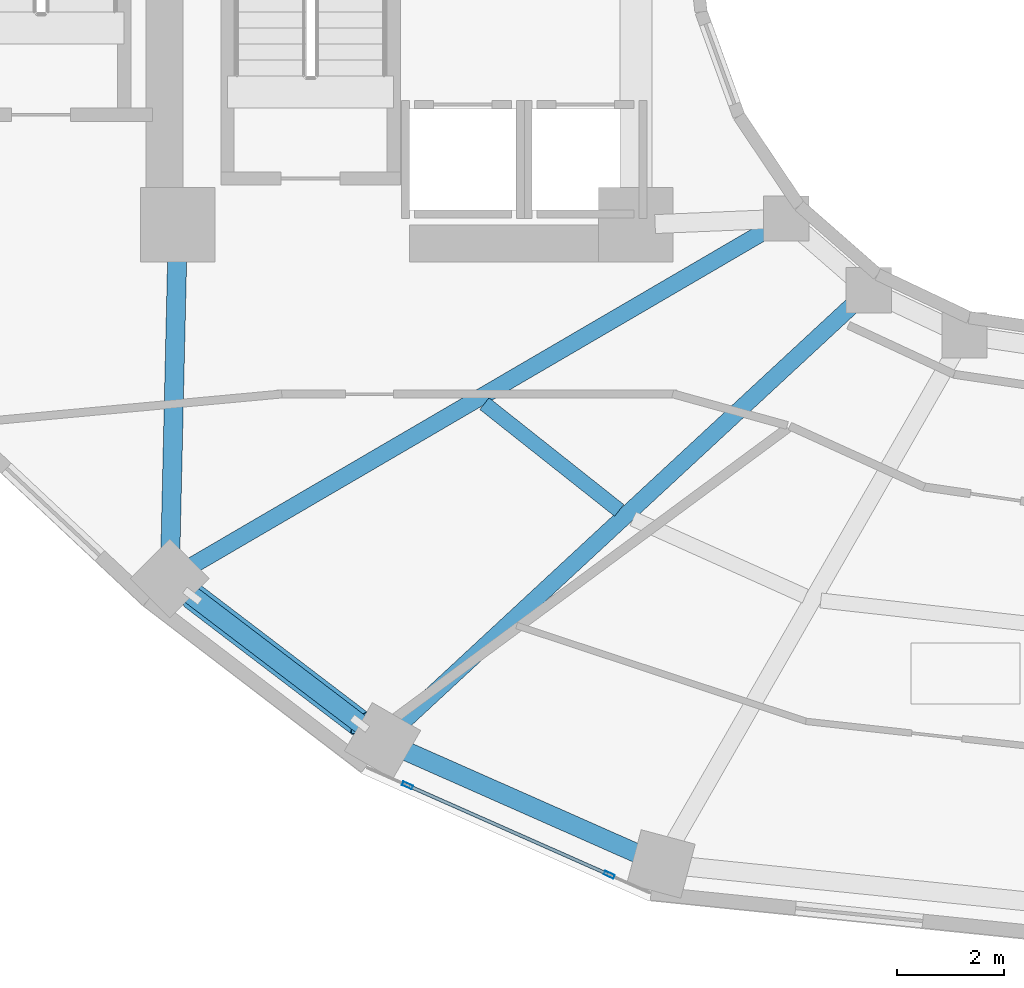
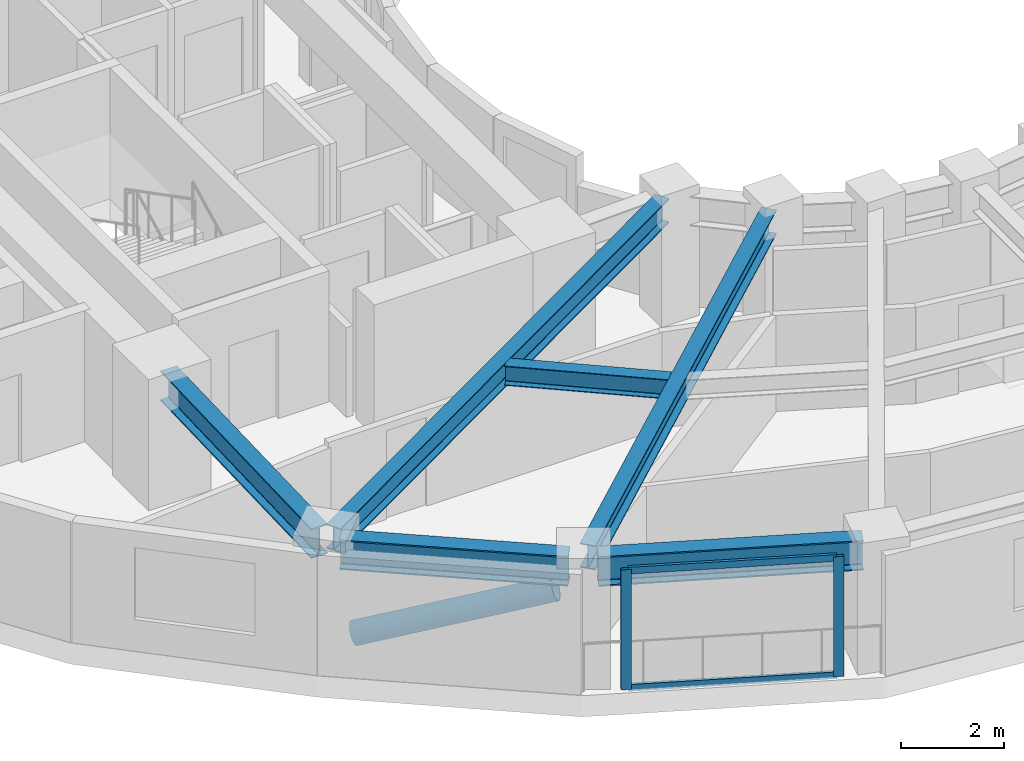
# One storey, part 2 of 18: 6 beams, 5 members, 1 element without a shape of its own.
"""IFC4 building model written with IfcOpenShell, lengths in metres."""

from ifc_helpers import new_model, si_unit, direction, frame, origin, origin_2d, place, context, subcontext, project, spatial, hollow_rectangle, hollow_circle, i_section, extrude, material, layer, layer_set, material_profile, profile_set, type_object, element, aggregate, save


model = new_model("IFC4")

# Units and contexts
model_context = context("Model", 3, precision=1e-05, world=origin(), true_north=direction((0.0, 1.0)))
body_context = subcontext(model_context, "Body", "Model", "MODEL_VIEW")
ifc_project = project(units=[si_unit("LENGTHUNIT", "METRE"), si_unit("AREAUNIT", "SQUARE_METRE"), si_unit("VOLUMEUNIT", "CUBIC_METRE"), si_unit("PLANEANGLEUNIT", "RADIAN"), si_unit("MASSUNIT", "GRAM", prefix="KILO")], contexts=[model_context])

# Site, building, storey
site_placement = place(None, origin())
site = spatial("IfcSite", under=ifc_project, at=site_placement, CompositionType="ELEMENT")
building_placement = place(site_placement, origin())
building = spatial("IfcBuilding", under=site, at=building_placement, Name="Solvane Sanctuary Tower", CompositionType="ELEMENT")
storey_placement = place(building_placement, frame((0.0, 0.0, 94.89990234375)))
storey = spatial("IfcBuildingStorey", under=building, at=storey_placement, Name="L28", CompositionType="ELEMENT", Elevation=94.89990234375)

# Beams
ifc_material_1 = material(Name="Steel ASTM A992 Grade 50", Category="steel")
ifc_material_profile_1 = material_profile(ifc_material_1, i_section(OverallWidth=0.31494140625, OverallDepth=0.575927734375, WebThickness=0.01513671875, FlangeThickness=0.0244140625, FilletRadius=0.014892578125, at=origin_2d()), Name="W21X122")
ifc_profile_set_1 = profile_set([ifc_material_profile_1], Name="Steel ASTM A992 Grade 50")
beam_type_1 = type_object("IfcBeamType", Name="Beam B-RAD-Z2 W21X122", PredefinedType="BEAM", material=ifc_profile_set_1)
beam_1_placement = place(storey_placement, frame((26.483154296875, 16.876708984375, 2.590087890625), z_axis=(-0.863554121542, -0.504256164234, 0.0), x_axis=(0.504256164234, -0.863554121542, 0.0)))
element("IfcBeam", 1, at=beam_1_placement, inside=storey, type_object=beam_type_1, Name="L28 Radial Composite Floor Beam 08", PredefinedType="BEAM", context=body_context, shape_type="SweptSolid", body=[
    extrude(i_section(OverallWidth=0.31494140625, OverallDepth=0.575927734375, WebThickness=0.01513671875, FlangeThickness=0.0244140625, FilletRadius=0.014892578125, at=origin_2d()), origin(), (0.0, 0.0, 1.0), 12.84716796875),
])
beam_2_placement = place(storey_placement, frame((28.064697265625, 15.483154296875, 2.590087890625), z_axis=(-0.733453775248, -0.679739332078, 0.0), x_axis=(0.679739332078, -0.733453775248, 0.0)))
element("IfcBeam", 2, at=beam_2_placement, inside=storey, type_object=beam_type_1, Name="L28 Radial Composite Floor Beam 09", PredefinedType="BEAM", context=body_context, shape_type="SweptSolid", body=[
    extrude(i_section(OverallWidth=0.31494140625, OverallDepth=0.575927734375, WebThickness=0.01513671875, FlangeThickness=0.0244140625, FilletRadius=0.014892578125, at=origin_2d()), origin(), (0.0, 0.0, 1.0), 11.885498046875),
])
ifc_material_profile_2 = material_profile(ifc_material_1, i_section(OverallWidth=0.280029296875, OverallDepth=0.462890625, WebThickness=0.0107421875, FlangeThickness=0.017333984375, FilletRadius=0.013916015625, at=origin_2d()), Name="W18X76")
ifc_profile_set_2 = profile_set([ifc_material_profile_2], Name="Steel ASTM A992 Grade 50")
beam_type_2 = type_object("IfcBeamType", Name="Beam B-SEC-JOIST W18X76", PredefinedType="JOIST", material=ifc_profile_set_2)
beam_3_placement = place(storey_placement, frame((21.055419921875, 13.54296875, 2.646484375), z_axis=(0.783877123324, -0.620915981055, 0.0), x_axis=(0.620915981055, 0.783877123324, 0.0)))
element("IfcBeam", 3, at=beam_3_placement, inside=storey, type_object=beam_type_2, Name="L28 Secondary Circumferential Joist 08-09", PredefinedType="JOIST", context=body_context, shape_type="SweptSolid", body=[
    extrude(i_section(OverallWidth=0.280029296875, OverallDepth=0.462890625, WebThickness=0.0107421875, FlangeThickness=0.017333984375, FilletRadius=0.013916015625, at=origin_2d()), origin(), (0.0, 0.0, 1.0), 3.228515625),
])
ifc_material_profile_3 = material_profile(ifc_material_1, i_section(OverallWidth=0.35791015625, OverallDepth=0.7060546875, WebThickness=0.018310546875, FlangeThickness=0.0302734375, FilletRadius=0.01806640625, at=origin_2d()), Name="W27X178")
ifc_profile_set_3 = profile_set([ifc_material_profile_3], Name="Steel ASTM A992 Grade 50")
beam_type_3 = type_object("IfcBeamType", Name="Beam B-SPAND-Z2 W27X178", PredefinedType="SPANDREL", material=ifc_profile_set_3)
beam_4_placement = place(storey_placement, frame((15.293701171875, 16.6201171875, 2.525146484375), z_axis=(-0.023071397754, -0.999733819877, 0.0), x_axis=(0.999733819877, -0.023071397754, 0.0)))
element("IfcBeam", 4, at=beam_4_placement, inside=storey, type_object=beam_type_3, Name="L28 Perimeter Spandrel Beam CW1-TC08", PredefinedType="SPANDREL", context=body_context, shape_type="SweptSolid", body=[
    extrude(i_section(OverallWidth=0.35791015625, OverallDepth=0.7060546875, WebThickness=0.018310546875, FlangeThickness=0.0302734375, FilletRadius=0.01806640625, at=origin_2d()), origin(), (0.0, 0.0, 1.0), 6.084716796875),
])
beam_5_placement = place(storey_placement, frame((15.36962890625, 10.08740234375, 2.525146484375), z_axis=(0.795473167932, -0.605988811036, 0.0), x_axis=(0.605988811036, 0.795473167932, 0.0)))
element("IfcBeam", 5, at=beam_5_placement, inside=storey, type_object=beam_type_3, Name="L28 Perimeter Spandrel Beam TC08-TC09", PredefinedType="SPANDREL", context=body_context, shape_type="SweptSolid", body=[
    extrude(i_section(OverallWidth=0.35791015625, OverallDepth=0.7060546875, WebThickness=0.018310546875, FlangeThickness=0.0302734375, FilletRadius=0.01806640625, at=origin_2d()), origin(), (0.0, 0.0, 1.0), 4.4619140625),
])
beam_6_placement = place(storey_placement, frame((19.397705078125, 7.1005859375, 2.525146484375), z_axis=(0.914454505181, -0.404688717355, 0.0), x_axis=(0.404688717355, 0.914454505181, 0.0)))
element("IfcBeam", 6, at=beam_6_placement, inside=storey, type_object=beam_type_3, Name="L28 Perimeter Spandrel Beam TC09-TC10", PredefinedType="SPANDREL", context=body_context, shape_type="SweptSolid", body=[
    extrude(i_section(OverallWidth=0.35791015625, OverallDepth=0.7060546875, WebThickness=0.018310546875, FlangeThickness=0.0302734375, FilletRadius=0.01806640625, at=origin_2d()), origin(), (0.0, 0.0, 1.0), 5.157958984375),
])

# Curtain wall, members
ifc_material_2 = material(Name="Anodised Aluminium 6063-T6", Category="aluminium")
ifc_layer = layer(ifc_material_2, 0.179931640625, Name="Anodised Aluminium 6063-T6")
ifc_layer_set = layer_set([ifc_layer], Name="Anodised Aluminium 6063-T6")
curtain_wall_type = type_object("IfcCurtainWallType", Name="Curtain Wall CW-FRIT-Z2", PredefinedType="NOTDEFINED", material=ifc_layer_set)
curtain_wall_placement = place(storey_placement, origin())
curtain_wall = element("IfcCurtainWall", 7, at=curtain_wall_placement, inside=storey, type_object=curtain_wall_type, Name="L28 CW-FRIT-Z2 Facade Run 16", PredefinedType="NOTDEFINED")
ifc_material_profile_4 = material_profile(ifc_material_2, hollow_rectangle(XDim=0.074951171875, YDim=0.199951171875, WallThickness=0.00390625, at=origin_2d()), Name="ALU200X75X4")
ifc_profile_set_4 = profile_set([ifc_material_profile_4], Name="Anodised Aluminium 6063-T6")
member_type_1 = type_object("IfcMemberType", Name="Member M-CW-MUL-1 ALU200X75X4", PredefinedType="MULLION", material=ifc_profile_set_4)
member_1_placement = place(storey_placement, frame((19.61083984375, 6.374755859375, 0.0), z_axis=(0.0, 0.0, 1.0), x_axis=(0.404950504664, 0.914338607285, 0.0)))
member_1 = element("IfcMember", 8, at=member_1_placement, type_object=member_type_1, Name="CW-FRIT-Z2 mullion 1", PredefinedType="MULLION", context=body_context, shape_type="SweptSolid", body=[
    extrude(hollow_rectangle(XDim=0.074951171875, YDim=0.199951171875, WallThickness=0.00390625, at=origin_2d()), origin(), (0.0, 0.0, 1.0), 2.840087890625),
])
member_2_placement = place(storey_placement, frame((23.399658203125, 4.69677734375, 0.0), z_axis=(0.0, 0.0, 1.0), x_axis=(0.404950504664, 0.914338607285, 0.0)))
member_2 = element("IfcMember", 9, at=member_2_placement, type_object=member_type_1, Name="CW-FRIT-Z2 mullion 2", PredefinedType="MULLION", context=body_context, shape_type="SweptSolid", body=[
    extrude(hollow_rectangle(XDim=0.074951171875, YDim=0.199951171875, WallThickness=0.00390625, at=origin_2d()), origin(), (0.0, 0.0, 1.0), 2.840087890625),
])
ifc_material_profile_5 = material_profile(ifc_material_2, hollow_rectangle(XDim=0.06494140625, YDim=0.159912109375, WallThickness=0.00341796875, at=origin_2d()), Name="ALU160X65X3.5")
ifc_profile_set_5 = profile_set([ifc_material_profile_5], Name="Anodised Aluminium 6063-T6")
member_type_2 = type_object("IfcMemberType", Name="Member M-CW-TRN-1 ALU160X65X3.5", PredefinedType="USERDEFINED", material=ifc_profile_set_5)
member_3_placement = place(storey_placement, frame((19.64501953125, 6.359619140625, 0.03271484375), z_axis=(0.914332885629, -0.404963423357, 0.0), x_axis=(0.404963423357, 0.914332885629, 0.0)))
member_3 = element("IfcMember", 10, at=member_3_placement, type_object=member_type_2, Name="CW-FRIT-Z2 transom 1.1", ObjectType="TRANSOM", PredefinedType="USERDEFINED", context=body_context, shape_type="SweptSolid", body=[
    extrude(hollow_rectangle(XDim=0.06494140625, YDim=0.159912109375, WallThickness=0.00341796875, at=origin_2d()), origin(), (0.0, 0.0, 1.0), 4.06884765625),
])
member_4_placement = place(storey_placement, frame((19.64501953125, 6.359619140625, 2.8076171875), z_axis=(0.914332885629, -0.404963423357, 0.0), x_axis=(0.404963423357, 0.914332885629, 0.0)))
member_4 = element("IfcMember", 11, at=member_4_placement, type_object=member_type_2, Name="CW-FRIT-Z2 transom 1.2", ObjectType="TRANSOM", PredefinedType="USERDEFINED", context=body_context, shape_type="SweptSolid", body=[
    extrude(hollow_rectangle(XDim=0.06494140625, YDim=0.159912109375, WallThickness=0.00341796875, at=origin_2d()), origin(), (0.0, 0.0, 1.0), 4.06884765625),
])
aggregate(curtain_wall, [member_1, member_2, member_3, member_4])

# Member
ifc_material_profile_6 = material_profile(ifc_material_1, hollow_circle(Radius=0.25390625, WallThickness=0.01611328125, at=origin_2d()), Name="CHS508X16")
ifc_profile_set_6 = profile_set([ifc_material_profile_6], Name="Steel ASTM A992 Grade 50")
member_type_3 = type_object("IfcMemberType", Name="Member M-TUBE-Z2 CHS508X16", PredefinedType="BRACE", material=ifc_profile_set_6)
member_5_placement = place(storey_placement, frame((15.575927734375, 9.930419921875, 0.572509765625), z_axis=(0.749170118041, -0.570768517947, 0.336106282529), x_axis=(0.606024564443, 0.795445929836, 0.0)))
element("IfcMember", 12, at=member_5_placement, inside=storey, type_object=member_type_3, Name="L28 Perimeter Braced-Tube Diagonal SW", PredefinedType="BRACE", context=body_context, shape_type="SweptSolid", body=[
    extrude(hollow_circle(Radius=0.25390625, WallThickness=0.01611328125, at=origin_2d()), origin(), (0.0, 0.0, 1.0), 4.1875),
])

save(model, "model.ifc")
